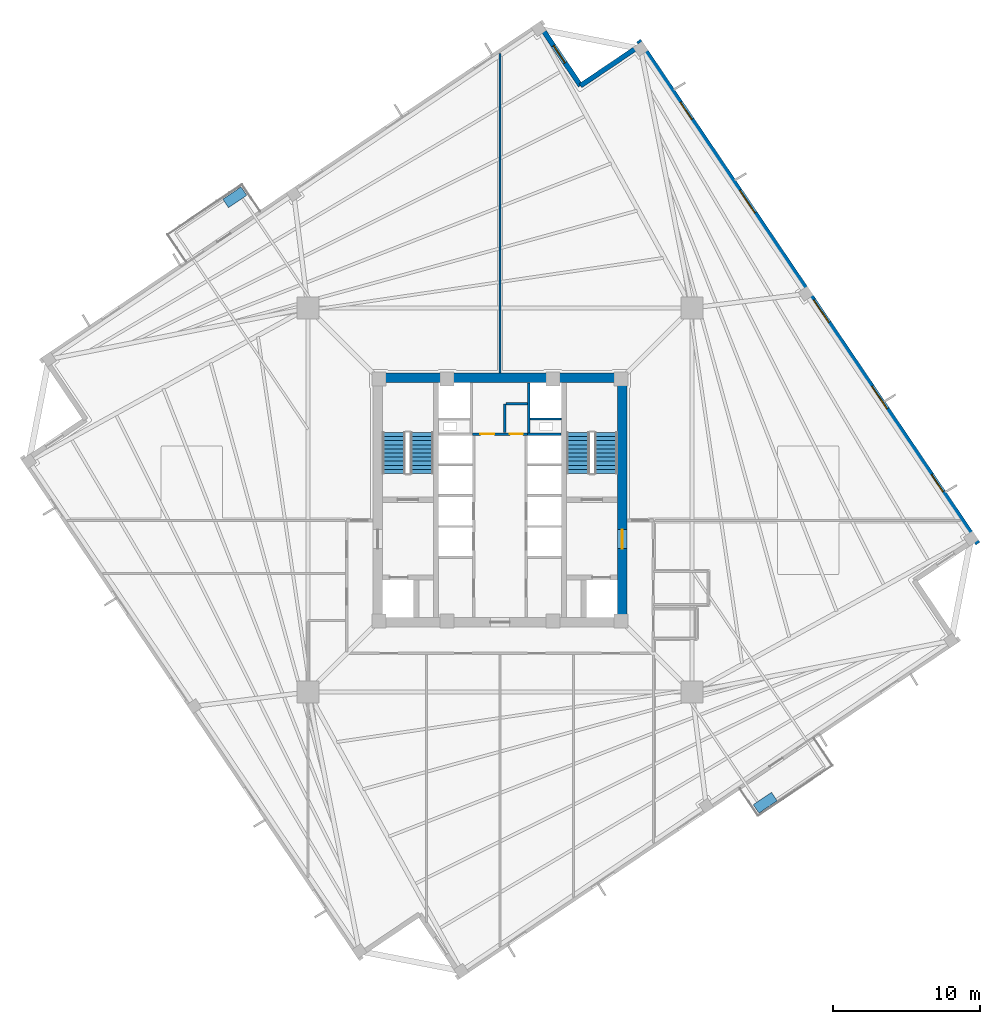
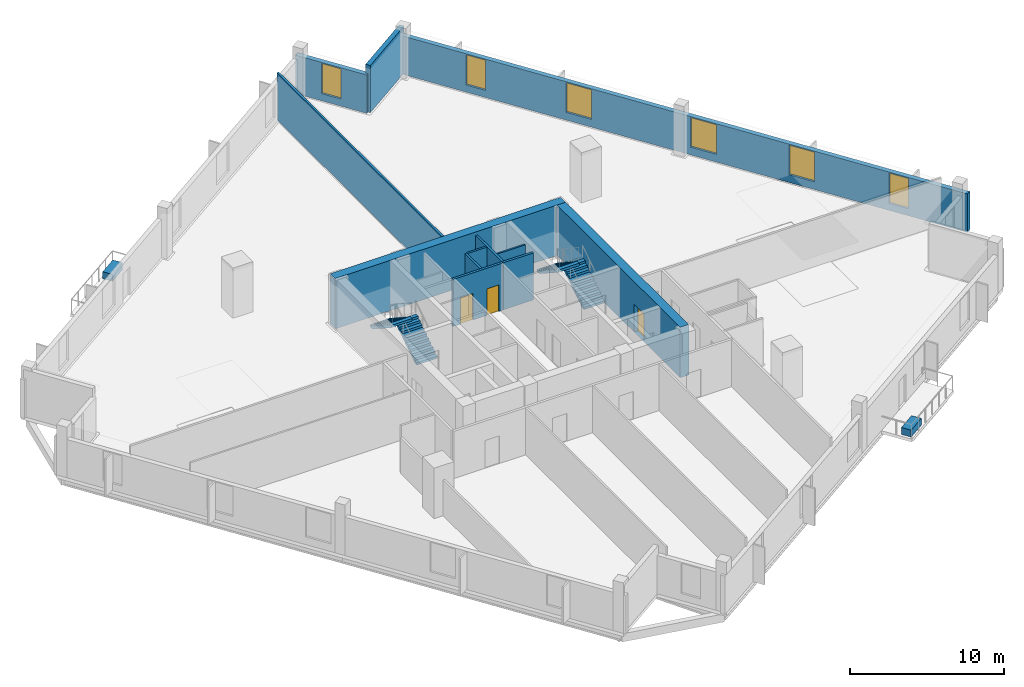
# One storey, part 5 of 8: 12 walls, 6 windows, 4 stair flights, 3 doors, 2 discrete accessories, 9 openings, 2 elements without a shape of their own.
"""IFC4 building model written with IfcOpenShell, lengths in metres."""

import ifcopenshell
import ifcopenshell.guid

model = None  # the IFC model being written
_history = None  # IfcOwnerHistory: only IFC2X3 demands one
_inside = {}  # id of a spatial element -> (the spatial element, [elements in it])
_under = {}  # id of a project, library or spatial element -> (it, [spatial elements below it])
_declared = {}  # id of a project -> (the project, [libraries it declares])
_typed = {}  # id of a type object -> (the type object, [elements of that type])
_made_of = {}  # id of a material, layer set ... -> (it, [elements and type objects made of it])


def new_model(schema):
    """Start an empty IFC model of exactly this schema.

    Asked for "IFC4X3", IfcOpenShell would pick the latest addendum, in which some entities
    have other attributes; the version numbers below select the first issue.
    IFC2X3 requires an IfcOwnerHistory on every rooted entity: one is made here for all.
    """
    global model, _history
    if schema == "IFC4X3":
        model = ifcopenshell.file(schema_version=(4, 3, 0, 0))
    else:
        model = ifcopenshell.file(schema=schema)
    _inside.clear()
    _under.clear()
    _declared.clear()
    _typed.clear()
    _made_of.clear()
    _history = None
    if model.schema == "IFC2X3":
        org = make("IfcOrganization", Name="unknown")
        user = make(
            "IfcPersonAndOrganization",
            ThePerson=make("IfcPerson", FamilyName="unknown"),
            TheOrganization=org,
        )
        app = make(
            "IfcApplication",
            ApplicationDeveloper=org,
            Version="unknown",
            ApplicationFullName="unknown",
            ApplicationIdentifier="unknown",
        )
        _history = make(
            "IfcOwnerHistory",
            OwningUser=user,
            OwningApplication=app,
            ChangeAction="ADDED",
            CreationDate=0,
        )
    return model


def make(cls, **values):
    """One entity of the class cls with the attributes given. An attribute that is None is left unset."""
    return model.create_entity(
        cls, **{name: value for name, value in values.items() if value is not None}
    )


def rooted(cls, **values):
    """An entity with a GlobalId (a new one), such as an element, a storey or a relation."""
    return make(cls, GlobalId=ifcopenshell.guid.new(), OwnerHistory=_history, **values)


def si_unit(unit_type, name, prefix=None):
    """IfcSIUnit, for example si_unit("LENGTHUNIT", "METRE", prefix="MILLI")."""
    return make("IfcSIUnit", UnitType=unit_type, Prefix=prefix, Name=name)


def assignment(units):
    """IfcUnitAssignment: the units of a project."""
    return None if units is None else make("IfcUnitAssignment", Units=units)


def point(xyz):
    """IfcCartesianPoint."""
    return None if xyz is None else make("IfcCartesianPoint", Coordinates=xyz)


def direction(xyz):
    """IfcDirection."""
    return None if xyz is None else make("IfcDirection", DirectionRatios=xyz)


def frame(location, z_axis=None, x_axis=None):
    """IfcAxis2Placement3D, a coordinate frame: its origin and axes. An axis left out is left unset."""
    return make(
        "IfcAxis2Placement3D",
        Location=point(location),
        Axis=direction(z_axis),
        RefDirection=direction(x_axis),
    )


def frame_2d(location, x_axis=None):
    """IfcAxis2Placement2D, a coordinate frame in the plane: its origin and x axis."""
    return make(
        "IfcAxis2Placement2D", Location=point(location), RefDirection=direction(x_axis)
    )


def origin():
    """The frame at (0, 0, 0) with its axes left unset."""
    return frame((0.0, 0.0, 0.0))


def origin_2d():
    """The frame at (0, 0) in the plane with its x axis left unset."""
    return frame_2d((0.0, 0.0))


def place(relative_to, where):
    """IfcLocalPlacement: puts the frame where relative to a parent placement (None: the world)."""
    return make(
        "IfcLocalPlacement", PlacementRelTo=relative_to, RelativePlacement=where
    )


def context(
    kind, dimensions, precision=None, world=None, true_north=None, identifier=None
):
    """IfcGeometricRepresentationContext, for example the 3D "Model" context."""
    return make(
        "IfcGeometricRepresentationContext",
        ContextIdentifier=identifier,
        ContextType=kind,
        CoordinateSpaceDimension=dimensions,
        Precision=precision,
        WorldCoordinateSystem=world,
        TrueNorth=true_north,
    )


def subcontext(parent, identifier, kind, view, scale=None):
    """IfcGeometricRepresentationSubContext, for example "Body" below "Model"."""
    return make(
        "IfcGeometricRepresentationSubContext",
        ContextIdentifier=identifier,
        ContextType=kind,
        ParentContext=parent,
        TargetScale=scale,
        TargetView=view,
    )


def project(units=None, contexts=None):
    """IfcProject with its units and contexts."""
    return rooted(
        "IfcProject",
        Name="project",
        RepresentationContexts=contexts,
        UnitsInContext=assignment(units),
    )


def spatial(cls, under=None, at=None, **own):
    """A site, building, storey or space (cls), placed at a placement, below another one or the project."""
    s = rooted(cls, ObjectPlacement=at, **own)
    if under is not None:
        _under.setdefault(under.id(), (under, []))[1].append(s)
    return s


def polyline(points):
    """IfcPolyline through the points."""
    return make("IfcPolyline", Points=[point(p) for p in points])


def profile(cls, at=None, kind="AREA", **sizes):
    """A parametric profile (cls). Its sizes go by their IFC names, for example OverallWidth=200.0."""
    return make(cls, ProfileType=kind, Position=at, **sizes)


def rectangle(**sizes):
    """IfcRectangleProfileDef."""
    return profile("IfcRectangleProfileDef", **sizes)


def outline(outer, holes=None, kind="AREA"):
    """IfcArbitraryClosedProfileDef: a profile drawn as a closed curve; with holes, ...WithVoids."""
    if holes is None:
        return make("IfcArbitraryClosedProfileDef", ProfileType=kind, OuterCurve=outer)
    return make(
        "IfcArbitraryProfileDefWithVoids",
        ProfileType=kind,
        OuterCurve=outer,
        InnerCurves=holes,
    )


def extrude(swept, where, along, depth):
    """IfcExtrudedAreaSolid: the profile swept, set in the frame where, extruded along a direction by depth."""
    return make(
        "IfcExtrudedAreaSolid",
        SweptArea=swept,
        Position=where,
        ExtrudedDirection=direction(along),
        Depth=depth,
    )


def shape(context_of_items, identifier, shape_type, items):
    """IfcShapeRepresentation: the items that make up one representation, for example the "Body"."""
    return make(
        "IfcShapeRepresentation",
        ContextOfItems=context_of_items,
        RepresentationIdentifier=identifier,
        RepresentationType=shape_type,
        Items=items,
    )


def source(mapping_origin, context_of_items, identifier, shape_type, items):
    """IfcRepresentationMap: a shape defined once, which mapped items show again and again."""
    return make(
        "IfcRepresentationMap",
        MappingOrigin=mapping_origin,
        MappedRepresentation=shape(context_of_items, identifier, shape_type, items),
    )


def transform(
    local_origin,
    x_axis=None,
    y_axis=None,
    z_axis=None,
    scale=None,
    scale2=None,
    scale3=None,
    uniform=True,
):
    """IfcCartesianTransformationOperator3D, or its non-uniform kind. x_axis, y_axis, z_axis: its Axis1, 2, 3."""
    if uniform:
        return make(
            "IfcCartesianTransformationOperator3D",
            Axis1=direction(x_axis),
            Axis2=direction(y_axis),
            LocalOrigin=point(local_origin),
            Scale=scale,
            Axis3=direction(z_axis),
        )
    return make(
        "IfcCartesianTransformationOperator3DnonUniform",
        Axis1=direction(x_axis),
        Axis2=direction(y_axis),
        LocalOrigin=point(local_origin),
        Scale=scale,
        Axis3=direction(z_axis),
        Scale2=scale2,
        Scale3=scale3,
    )


def mapped(mapping_source, mapping_target):
    """IfcMappedItem: shows the shape of a source again, moved by a transform."""
    return make(
        "IfcMappedItem", MappingSource=mapping_source, MappingTarget=mapping_target
    )


def material(Name=None, Category=None):
    """IfcMaterial."""
    return make("IfcMaterial", Name=Name, Category=Category)


def layer(
    of_material, thickness, ventilated=None, Name=None, Category=None, Priority=None
):
    """IfcMaterialLayer: one layer of a wall or slab, of a material (None: an air gap)."""
    return make(
        "IfcMaterialLayer",
        Material=of_material,
        LayerThickness=thickness,
        IsVentilated=ventilated,
        Name=Name,
        Category=Category,
        Priority=Priority,
    )


def layer_set(layers, Name=None):
    """IfcMaterialLayerSet."""
    return make("IfcMaterialLayerSet", MaterialLayers=layers, LayerSetName=Name)


def made_of(thing, what):
    """Note that an element or type object is made of a material, layer set ...; save() writes the relation."""
    if what is not None:
        _made_of.setdefault(what.id(), (what, []))[1].append(thing)
    return thing


def type_object(cls, material=None, **own):
    """A type object (cls), such as IfcWallType, which elements share."""
    return made_of(rooted(cls, **own), material)


def element(
    cls,
    number,
    at=None,
    inside=None,
    cuts=None,
    type_object=None,
    material=None,
    context=None,
    identifier="Body",
    shape_type=None,
    held_by="IfcProductDefinitionShape",
    body=None,
    shapes=None,
    **own,
):
    """One element of the class cls, such as IfcWall. Its Tag is "e" and its number.

    at: its placement. inside: the storey or other place that contains it. cuts: it is an
    opening in that element (IfcRelVoidsElement). A single representation is given by context,
    identifier, shape_type and body (its items); several are given by shapes. held_by: the class
    of the entity that holds the representations. save() writes the other relations.
    """
    e = rooted(cls, Tag="e%d" % number, ObjectPlacement=at, **own)
    if body is not None:
        shapes = [shape(context, identifier, shape_type, body)]
    if shapes is not None:
        e.Representation = make(held_by, Representations=shapes)
    if inside is not None:
        _inside.setdefault(inside.id(), (inside, []))[1].append(e)
    if cuts is not None:
        rooted(
            "IfcRelVoidsElement", RelatingBuildingElement=cuts, RelatedOpeningElement=e
        )
    if type_object is not None:
        _typed.setdefault(type_object.id(), (type_object, []))[1].append(e)
    return made_of(e, material)


def fill(opening, filler):
    """IfcRelFillsElement: the door or window that sits in an opening."""
    return rooted(
        "IfcRelFillsElement",
        RelatingOpeningElement=opening,
        RelatedBuildingElement=filler,
    )


def aggregate(whole, parts):
    """IfcRelAggregates: a whole, such as a stair, and the parts it consists of."""
    return rooted("IfcRelAggregates", RelatingObject=whole, RelatedObjects=parts)


def save(model, path):
    """Write the relations noted so far, then the file.

    IfcRelAggregates (storeys below a building ...), IfcRelContainedInSpatialStructure (elements
    in a storey), IfcRelDefinesByType, IfcRelAssociatesMaterial and IfcRelDeclares: one each for
    every whole, place, type object, material and project.
    """
    for whole, parts in _under.values():
        aggregate(whole, parts)
    for where, things in _inside.values():
        rooted(
            "IfcRelContainedInSpatialStructure",
            RelatedElements=things,
            RelatingStructure=where,
        )
    for kind, things in _typed.values():
        rooted("IfcRelDefinesByType", RelatedObjects=things, RelatingType=kind)
    for what, things in _made_of.values():
        rooted("IfcRelAssociatesMaterial", RelatedObjects=things, RelatingMaterial=what)
    for by, libraries in _declared.values():
        rooted("IfcRelDeclares", RelatingContext=by, RelatedDefinitions=libraries)
    model.write(path)


model = new_model("IFC4")

# Units and contexts
model_context = context("Model", 3, precision=1e-05, world=origin(), true_north=direction((0.0, 1.0)))
body_context = subcontext(model_context, "Body", "Model", "MODEL_VIEW")
ifc_project = project(units=[si_unit("LENGTHUNIT", "METRE"), si_unit("AREAUNIT", "SQUARE_METRE"), si_unit("VOLUMEUNIT", "CUBIC_METRE"), si_unit("PLANEANGLEUNIT", "RADIAN"), si_unit("MASSUNIT", "GRAM", prefix="KILO"), si_unit("THERMODYNAMICTEMPERATUREUNIT", "KELVIN")], contexts=[model_context])

# Site, building, storey
site_placement = place(None, origin())
site = spatial("IfcSite", under=ifc_project, at=site_placement, CompositionType="ELEMENT")
building_placement = place(site_placement, origin())
building = spatial("IfcBuilding", under=site, at=building_placement, Name="Kosmvard Interchange Tower", CompositionType="ELEMENT")
storey_placement = place(building_placement, frame((0.0, 0.0, 148.39990234375)))
storey = spatial("IfcBuildingStorey", under=building, at=storey_placement, Name="L35", CompositionType="ELEMENT", Elevation=148.39990234375)

# Walls
ifc_material_1 = material(Name="Acoustic gypsum partition system")
ifc_layer_1 = layer(ifc_material_1, 0.14990234375, Name="Acoustic gypsum partition system")
ifc_layer_set_1 = layer_set([ifc_layer_1], Name="Acoustic gypsum partition system")
wall_type_1 = type_object("IfcWallType", Name="Acoustic Suite & Meeting Partition 150", PredefinedType="PARTITIONING", material=ifc_layer_set_1)
wall_1_placement = place(storey_placement, frame((0.0, 8.655029296875, 0.0), z_axis=(0.0, 0.0, 1.0), x_axis=(0.0, 1.0, 0.0)))
element("IfcWall", 1, at=wall_1_placement, inside=storey, type_object=wall_type_1, Name="L35 Room Partition 01.1", PredefinedType="PARTITIONING", context=body_context, shape_type="SweptSolid", body=[
    extrude(rectangle(XDim=21.771728515625, YDim=0.14990234375, at=frame_2d((10.8857421875, 0.0))), origin(), (0.0, 0.0, 1.0), 3.739990234375),
])
ifc_material_2 = material(Name="Fire-rated gypsum partition system")
ifc_layer_2 = layer(ifc_material_2, 0.159912109375, Name="Fire-rated gypsum partition system")
ifc_layer_set_2 = layer_set([ifc_layer_2], Name="Fire-rated gypsum partition system")
wall_type_2 = type_object("IfcWallType", Name="Core Compartment & Shuttle Lobby Partition 160", PredefinedType="PARTITIONING", material=ifc_layer_set_2)
wall_2_placement = place(storey_placement, frame((1.9599609375, 4.580078125, 0.0), z_axis=(0.0, 0.0, 1.0), x_axis=(0.0, 1.0, 0.0)))
element("IfcWall", 2, at=wall_2_placement, inside=storey, type_object=wall_type_2, Name="L35 North Core East Wall", PredefinedType="PARTITIONING", context=body_context, shape_type="SweptSolid", body=[
    extrude(rectangle(XDim=3.39990234375, YDim=0.159912109375, at=frame_2d((1.699951171875, 0.0))), origin(), (0.0, 0.0, 1.0), 3.739990234375),
])
ifc_material_3 = material(Name="Concrete blockwork masonry", Category="masonry")
ifc_layer_3 = layer(ifc_material_3, 0.159912109375, Name="Concrete blockwork masonry")
ifc_layer_set_3 = layer_set([ifc_layer_3], Name="Concrete blockwork masonry")
wall_type_3 = type_object("IfcWallType", Name="Core Enclosure Split Wall 160", PredefinedType="PARTITIONING", material=ifc_layer_set_3)
wall_3_placement = place(storey_placement, frame((0.320068359375, 4.60009765625, 0.0), z_axis=(0.0, 0.0, 1.0), x_axis=(0.0, 1.0, 0.0)))
element("IfcWall", 3, at=wall_3_placement, inside=storey, type_object=wall_type_3, Name="L35 Core K3 L-Wall 1", PredefinedType="PARTITIONING", context=body_context, shape_type="SweptSolid", body=[
    extrude(rectangle(XDim=1.949951171875, YDim=0.159912109375, at=frame_2d((0.97509765625, 0.0))), origin(), (0.0, 0.0, 1.0), 3.739990234375),
])
wall_4_placement = place(storey_placement, frame((0.39990234375, 6.550048828125, 0.0), z_axis=(0.0, 0.0, 1.0), x_axis=(1.0, 0.0, 0.0)))
element("IfcWall", 4, at=wall_4_placement, inside=storey, type_object=wall_type_3, Name="L35 Core K3 L-Wall 2", PredefinedType="PARTITIONING", context=body_context, shape_type="SweptSolid", body=[
    extrude(rectangle(XDim=1.460205078125, YDim=0.159912109375, at=frame_2d((0.72998046875, 0.0))), origin(), (0.0, 0.0, 1.0), 3.739990234375),
])

# Wall, openings, doors
ifc_layer_4 = layer(ifc_material_2, 0.179931640625, Name="Fire-rated gypsum partition system")
ifc_layer_set_4 = layer_set([ifc_layer_4], Name="Fire-rated gypsum partition system")
wall_type_4 = type_object("IfcWallType", Name="Corridor & Hotel Compartment Partition 180", PredefinedType="PARTITIONING", material=ifc_layer_set_4)
wall_5_placement = place(storey_placement, frame((-1.8798828125, 4.489990234375, 0.0), z_axis=(0.0, 0.0, 1.0), x_axis=(1.0, 0.0, 0.0)))
wall_5 = element("IfcWall", 5, at=wall_5_placement, inside=storey, type_object=wall_type_4, Name="L35 Lift Lobby North Partition", PredefinedType="PARTITIONING", context=body_context, shape_type="SweptSolid", body=[
    extrude(rectangle(XDim=3.759765625, YDim=0.179931640625, at=frame_2d((1.8798828125, 0.0))), origin(), (0.0, 0.0, 1.0), 3.739990234375),
])
opening_1_placement = place(wall_5_placement, frame((0.550048828125, 0.0, 0.0)))
opening_1 = element("IfcOpeningElement", 6, at=opening_1_placement, cuts=wall_5, Name="Opening L35-KD1", PredefinedType="OPENING", context=body_context, shape_type="SweptSolid", body=[
    extrude(rectangle(XDim=0.949951171875, YDim=2.10009765625, at=frame_2d((0.47509765625, 1.050048828125))), frame((0.0, 0.10009765625, 0.0), z_axis=(0.0, -1.0, 0.0), x_axis=(1.0, 0.0, 0.0)), (0.0, 0.0, 1.0), 0.199951171875),
])
opening_2_placement = place(wall_5_placement, frame((2.56005859375, 0.0, 0.0)))
opening_2 = element("IfcOpeningElement", 7, at=opening_2_placement, cuts=wall_5, Name="Opening L35-KD2", PredefinedType="OPENING", context=body_context, shape_type="SweptSolid", body=[
    extrude(rectangle(XDim=0.8798828125, YDim=2.10009765625, at=frame_2d((0.43994140625, 1.050048828125))), frame((0.0, 0.10009765625, 0.0), z_axis=(0.0, -1.0, 0.0), x_axis=(1.0, 0.0, 0.0)), (0.0, 0.0, 1.0), 0.199951171875),
])
ifc_material_4 = material(Name="Painted fire-rated timber leaf", Category="wood")
door_type_1 = type_object("IfcDoorType", Name="Core Service Fire Door 950x2100 EI30", OperationType="NOTDEFINED", PredefinedType="DOOR", material=ifc_material_4)
shared_shape_1 = source(origin(), body_context, "Body", "SweptSolid", [
    extrude(rectangle(XDim=0.949951171875, YDim=2.10009765625, at=frame_2d((0.47509765625, 1.050048828125))), frame((0.0, 0.02490234375, 0.0), z_axis=(0.0, -1.0, 0.0), x_axis=(1.0, 0.0, 0.0)), (0.0, 0.0, 1.0), 0.050048828125),
])
door_1_placement = place(opening_1_placement, origin())
door_1 = element("IfcDoor", 8, at=door_1_placement, inside=storey, type_object=door_type_1, Name="L35 Core Archive Store Door", OperationType="SINGLE_SWING_LEFT", OverallHeight=2.10009765625, OverallWidth=0.949951171875, PredefinedType="DOOR", context=body_context, shape_type="MappedRepresentation", body=[
    mapped(shared_shape_1, transform((0.0, 0.0, 0.0), scale=1.0)),
])
fill(opening_1, door_1)
door_type_2 = type_object("IfcDoorType", Name="Core Cupboard Fire Door 880x2100 EI30", OperationType="NOTDEFINED", PredefinedType="DOOR", material=ifc_material_4)
shared_shape_2 = source(origin(), body_context, "Body", "SweptSolid", [
    extrude(rectangle(XDim=0.8798828125, YDim=2.10009765625, at=frame_2d((0.43994140625, 1.050048828125))), frame((0.0, 0.02490234375, 0.0), z_axis=(0.0, -1.0, 0.0), x_axis=(1.0, 0.0, 0.0)), (0.0, 0.0, 1.0), 0.050048828125),
])
door_2_placement = place(opening_2_placement, origin())
door_2 = element("IfcDoor", 9, at=door_2_placement, inside=storey, type_object=door_type_2, Name="L35 Core Supplies Cupboard Door", OperationType="SINGLE_SWING_RIGHT", OverallHeight=2.10009765625, OverallWidth=0.8798828125, PredefinedType="DOOR", context=body_context, shape_type="MappedRepresentation", body=[
    mapped(shared_shape_2, transform((0.0, 0.0, 0.0), scale=1.0)),
])
fill(opening_2, door_2)

# Wall
ifc_material_5 = material(Name="Concrete C70/85", Category="concrete")
ifc_layer_5 = layer(ifc_material_5, 0.64990234375, Name="Concrete C70/85")
ifc_layer_set_5 = layer_set([ifc_layer_5], Name="Concrete C70/85")
wall_type_5 = type_object("IfcWallType", Name="Mid Core Shear Wall 650 C70/85", PredefinedType="SHEAR", material=ifc_layer_set_5)
wall_6_placement = place(storey_placement, frame((-8.64990234375, 8.324951171875, 0.0), z_axis=(0.0, 0.0, 1.0), x_axis=(1.0, 0.0, 0.0)))
element("IfcWall", 10, at=wall_6_placement, inside=storey, type_object=wall_type_5, Name="L35 Core Shear Wall CW-N", PredefinedType="SHEAR", context=body_context, shape_type="SweptSolid", body=[
    extrude(rectangle(XDim=17.2998046875, YDim=0.64990234375, at=frame_2d((8.64990234375, 0.0))), origin(), (0.0, 0.0, 1.0), 4.0),
])

# Wall, opening, door
wall_7_placement = place(storey_placement, frame((8.324951171875, -8.0, 0.0), z_axis=(0.0, 0.0, 1.0), x_axis=(0.0, 1.0, 0.0)))
wall_7 = element("IfcWall", 11, at=wall_7_placement, inside=storey, type_object=wall_type_5, Name="L35 Core Shear Wall CW-E", PredefinedType="SHEAR", context=body_context, shape_type="SweptSolid", body=[
    extrude(rectangle(XDim=16.0, YDim=0.64990234375, at=frame_2d((8.0, 0.0))), origin(), (0.0, 0.0, 1.0), 4.0),
])
opening_3_placement = place(wall_7_placement, frame((4.68994140625, 0.0, 0.0)))
opening_3 = element("IfcOpeningElement", 12, at=opening_3_placement, cuts=wall_7, Name="Opening L35-FD2", PredefinedType="OPENING", context=body_context, shape_type="SweptSolid", body=[
    extrude(rectangle(XDim=1.300048828125, YDim=2.199951171875, at=frame_2d((0.64990234375, 1.10009765625))), frame((0.0, 0.3349609375, 0.0), z_axis=(0.0, -1.0, 0.0), x_axis=(1.0, 0.0, 0.0)), (0.0, 0.0, 1.0), 0.669921875),
])
ifc_material_6 = material(Name="Painted fire-rated steel leaf", Category="steel")
door_type_3 = type_object("IfcDoorType", Name="Firefighting Lobby Door 1300x2200 EI60", OperationType="NOTDEFINED", PredefinedType="DOOR", material=ifc_material_6)
shared_shape_3 = source(origin(), body_context, "Body", "SweptSolid", [
    extrude(rectangle(XDim=1.300048828125, YDim=2.199951171875, at=frame_2d((0.64990234375, 1.10009765625))), frame((0.0, 0.02490234375, 0.0), z_axis=(0.0, -1.0, 0.0), x_axis=(1.0, 0.0, 0.0)), (0.0, 0.0, 1.0), 0.050048828125),
])
door_3_placement = place(opening_3_placement, origin())
door_3 = element("IfcDoor", 13, at=door_3_placement, inside=storey, type_object=door_type_3, Name="L35 Firefighting Lobby East Door", OperationType="SINGLE_SWING_RIGHT", OverallHeight=2.199951171875, OverallWidth=1.300048828125, PredefinedType="DOOR", context=body_context, shape_type="MappedRepresentation", body=[
    mapped(shared_shape_3, transform((0.0, 0.0, 0.0), scale=1.0)),
])
fill(opening_3, door_3)

# Wall, openings, windows
ifc_material_7 = material(Name="Precast concrete C45/55", Category="concrete")
ifc_layer_6 = layer(ifc_material_7, 0.340087890625, Name="Precast concrete C45/55")
ifc_layer_set_6 = layer_set([ifc_layer_6], Name="Precast concrete C45/55")
wall_type_6 = type_object("IfcWallType", Name="Mid Tower Precast Pier Wall 340 C45/55", PredefinedType="STANDARD", material=ifc_layer_set_6)
wall_8_placement = place(storey_placement, frame((32.55810546875, -2.971923828125, 0.0), z_axis=(0.0, 0.0, 1.0), x_axis=(-0.559194910251, 0.829036218961, 0.0)))
wall_8 = element("IfcWall", 14, at=wall_8_placement, inside=storey, type_object=wall_type_6, Name="L35 Precast Facade Wall F-E", PredefinedType="STANDARD", context=body_context, shape_type="SweptSolid", body=[
    extrude(rectangle(XDim=41.340087890625, YDim=0.340087890625, at=frame_2d((20.669921875, 0.0))), origin(), (0.0, 0.0, 1.0), 3.0400390625),
])
opening_4_placement = place(wall_8_placement, frame((4.2607421875, 0.0, 0.56005859375)))
opening_4 = element("IfcOpeningElement", 15, at=opening_4_placement, cuts=wall_8, Name="Opening L35-W06", PredefinedType="OPENING", context=body_context, shape_type="SweptSolid", body=[
    extrude(rectangle(XDim=1.39990234375, YDim=2.39990234375, at=frame_2d((0.699951171875, 1.199951171875))), frame((0.0, 0.18017578125, 0.0), z_axis=(0.0, -1.0, 0.0), x_axis=(1.0, 0.0, 0.0)), (0.0, 0.0, 1.0), 0.360107421875),
])
opening_5_placement = place(wall_8_placement, frame((11.063720703125, 0.0, 0.610107421875)))
opening_5 = element("IfcOpeningElement", 16, at=opening_5_placement, cuts=wall_8, Name="Opening L35-W07", PredefinedType="OPENING", context=body_context, shape_type="SweptSolid", body=[
    extrude(rectangle(XDim=1.85009765625, YDim=2.35009765625, at=frame_2d((0.925048828125, 1.175048828125))), frame((0.0, 0.18017578125, 0.0), z_axis=(0.0, -1.0, 0.0), x_axis=(1.0, 0.0, 0.0)), (0.0, 0.0, 1.0), 0.360107421875),
])
opening_6_placement = place(wall_8_placement, frame((18.168212890625, 0.0, 0.610107421875)))
opening_6 = element("IfcOpeningElement", 17, at=opening_6_placement, cuts=wall_8, Name="Opening L35-W08", PredefinedType="OPENING", context=body_context, shape_type="SweptSolid", body=[
    extrude(rectangle(XDim=1.85009765625, YDim=2.35009765625, at=frame_2d((0.925048828125, 1.175048828125))), frame((0.0, 0.18017578125, 0.0), z_axis=(0.0, -1.0, 0.0), x_axis=(1.0, 0.0, 0.0)), (0.0, 0.0, 1.0), 0.360107421875),
])
opening_7_placement = place(wall_8_placement, frame((27.186279296875, 0.0, 0.610107421875)))
opening_7 = element("IfcOpeningElement", 18, at=opening_7_placement, cuts=wall_8, Name="Opening L35-W09", PredefinedType="OPENING", context=body_context, shape_type="SweptSolid", body=[
    extrude(rectangle(XDim=1.85009765625, YDim=2.35009765625, at=frame_2d((0.925048828125, 1.175048828125))), frame((0.0, 0.18017578125, 0.0), z_axis=(0.0, -1.0, 0.0), x_axis=(1.0, 0.0, 0.0)), (0.0, 0.0, 1.0), 0.360107421875),
])
opening_8_placement = place(wall_8_placement, frame((34.852294921875, 0.0, 0.56005859375)))
opening_8 = element("IfcOpeningElement", 19, at=opening_8_placement, cuts=wall_8, Name="Opening L35-W10", PredefinedType="OPENING", context=body_context, shape_type="SweptSolid", body=[
    extrude(rectangle(XDim=1.39990234375, YDim=2.39990234375, at=frame_2d((0.699951171875, 1.199951171875))), frame((0.0, 0.18017578125, 0.0), z_axis=(0.0, -1.0, 0.0), x_axis=(1.0, 0.0, 0.0)), (0.0, 0.0, 1.0), 0.360107421875),
])
ifc_material_8 = material(Name="Low-E solar-control double glazing", Category="glass")
window_type_1 = type_object("IfcWindowType", Name="Notched Corner Feature Window 1400x2400", PartitioningType="SINGLE_PANEL", PredefinedType="WINDOW", material=ifc_material_8)
shared_shape_4 = source(origin(), body_context, "Body", "SweptSolid", [
    extrude(rectangle(XDim=1.39990234375, YDim=2.39990234375, at=frame_2d((0.699951171875, 1.199951171875))), frame((0.0, 0.030029296875, 0.0), z_axis=(0.0, -1.0, 0.0), x_axis=(1.0, 0.0, 0.0)), (0.0, 0.0, 1.0), 0.06005859375),
])
window_1_placement = place(opening_4_placement, origin())
window_1 = element("IfcWindow", 20, at=window_1_placement, inside=storey, type_object=window_type_1, Name="L35 Facade Punched Window 06", OverallHeight=2.39990234375, OverallWidth=1.39990234375, PartitioningType="SINGLE_PANEL", PredefinedType="WINDOW", context=body_context, shape_type="MappedRepresentation", body=[
    mapped(shared_shape_4, transform((0.0, 0.0, 0.0), scale=1.0)),
])
fill(opening_4, window_1)
window_2_placement = place(opening_8_placement, origin())
window_2 = element("IfcWindow", 21, at=window_2_placement, inside=storey, type_object=window_type_1, Name="L35 Facade Punched Window 10", OverallHeight=2.39990234375, OverallWidth=1.39990234375, PartitioningType="SINGLE_PANEL", PredefinedType="WINDOW", context=body_context, shape_type="MappedRepresentation", body=[
    mapped(shared_shape_4, transform((0.0, 0.0, 0.0), scale=1.0)),
])
fill(opening_8, window_2)
window_type_2 = type_object("IfcWindowType", Name="Zone 3 Office Punched Window 1850x2350", PartitioningType="SINGLE_PANEL", PredefinedType="WINDOW", material=ifc_material_8)
shared_shape_5 = source(origin(), body_context, "Body", "SweptSolid", [
    extrude(rectangle(XDim=1.85009765625, YDim=2.35009765625, at=frame_2d((0.925048828125, 1.175048828125))), frame((0.0, 0.030029296875, 0.0), z_axis=(0.0, -1.0, 0.0), x_axis=(1.0, 0.0, 0.0)), (0.0, 0.0, 1.0), 0.06005859375),
])
window_3_placement = place(opening_5_placement, origin())
window_3 = element("IfcWindow", 22, at=window_3_placement, inside=storey, type_object=window_type_2, Name="L35 Facade Punched Window 07", OverallHeight=2.35009765625, OverallWidth=1.85009765625, PartitioningType="SINGLE_PANEL", PredefinedType="WINDOW", context=body_context, shape_type="MappedRepresentation", body=[
    mapped(shared_shape_5, transform((0.0, 0.0, 0.0), scale=1.0)),
])
fill(opening_5, window_3)
window_4_placement = place(opening_6_placement, origin())
window_4 = element("IfcWindow", 23, at=window_4_placement, inside=storey, type_object=window_type_2, Name="L35 Facade Punched Window 08", OverallHeight=2.35009765625, OverallWidth=1.85009765625, PartitioningType="SINGLE_PANEL", PredefinedType="WINDOW", context=body_context, shape_type="MappedRepresentation", body=[
    mapped(shared_shape_5, transform((0.0, 0.0, 0.0), scale=1.0)),
])
fill(opening_6, window_4)
window_5_placement = place(opening_7_placement, origin())
window_5 = element("IfcWindow", 24, at=window_5_placement, inside=storey, type_object=window_type_2, Name="L35 Facade Punched Window 09", OverallHeight=2.35009765625, OverallWidth=1.85009765625, PartitioningType="SINGLE_PANEL", PredefinedType="WINDOW", context=body_context, shape_type="MappedRepresentation", body=[
    mapped(shared_shape_5, transform((0.0, 0.0, 0.0), scale=1.0)),
])
fill(opening_7, window_5)

# Wall
wall_9_placement = place(storey_placement, frame((9.631103515625, 31.018798828125, 0.0), z_axis=(0.0, 0.0, 1.0), x_axis=(-0.829025804298, -0.559210350234, 0.0)))
element("IfcWall", 25, at=wall_9_placement, inside=storey, type_object=wall_type_6, Name="L35 Precast Facade Wall N-NE1", PredefinedType="STANDARD", context=body_context, shape_type="SweptSolid", body=[
    extrude(rectangle(XDim=5.000244140625, YDim=0.340087890625, at=frame_2d((2.5, 0.0))), origin(), (0.0, 0.0, 1.0), 3.739990234375),
])

# Wall, opening, window
wall_10_placement = place(storey_placement, frame((5.48583984375, 28.22265625, 0.0), z_axis=(0.0, 0.0, 1.0), x_axis=(-0.559171107879, 0.82905227345, 0.0)))
wall_10 = element("IfcWall", 26, at=wall_10_placement, inside=storey, type_object=wall_type_6, Name="L35 Precast Facade Wall N-NE2", PredefinedType="STANDARD", context=body_context, shape_type="SweptSolid", body=[
    extrude(rectangle(XDim=5.169921875, YDim=0.340087890625, at=frame_2d((2.5849609375, 0.0))), origin(), (0.0, 0.0, 1.0), 3.0400390625),
])
opening_9_placement = place(wall_10_placement, frame((1.885009765625, 0.0, 0.56005859375)))
opening_9 = element("IfcOpeningElement", 27, at=opening_9_placement, cuts=wall_10, Name="Opening L35-W22", PredefinedType="OPENING", context=body_context, shape_type="SweptSolid", body=[
    extrude(rectangle(XDim=1.39990234375, YDim=2.39990234375, at=frame_2d((0.699951171875, 1.199951171875))), frame((0.0, 0.18017578125, 0.0), z_axis=(0.0, -1.0, 0.0), x_axis=(1.0, 0.0, 0.0)), (0.0, 0.0, 1.0), 0.360107421875),
])
window_6_placement = place(opening_9_placement, origin())
window_6 = element("IfcWindow", 28, at=window_6_placement, inside=storey, type_object=window_type_1, Name="L35 Corner Notch Window 22", OverallHeight=2.39990234375, OverallWidth=1.39990234375, PartitioningType="SINGLE_PANEL", PredefinedType="WINDOW", context=body_context, shape_type="MappedRepresentation", body=[
    mapped(shared_shape_4, transform((0.0, 0.0, 0.0), scale=1.0)),
])
fill(opening_9, window_6)

# Walls
ifc_layer_7 = layer(ifc_material_3, 0.179931640625, Name="Concrete blockwork masonry")
ifc_layer_set_7 = layer_set([ifc_layer_7], Name="Concrete blockwork masonry")
wall_type_7 = type_object("IfcWallType", Name="Riser & Lift Bank Divider Wall 180", PredefinedType="PARTITIONING", material=ifc_layer_set_7)
wall_11_placement = place(storey_placement, frame((1.889892578125, 4.489990234375, 0.0), z_axis=(0.0, 0.0, 1.0), x_axis=(1.0, 0.0, 0.0)))
element("IfcWall", 29, at=wall_11_placement, inside=storey, type_object=wall_type_7, Name="L35 East Bank Divider BD3", PredefinedType="PARTITIONING", context=body_context, shape_type="SweptSolid", body=[
    extrude(rectangle(XDim=2.280029296875, YDim=0.179931640625, at=frame_2d((1.14013671875, 0.0))), origin(), (0.0, 0.0, 1.0), 3.739990234375),
])
ifc_material_9 = material(Name="Fire-rated gypsum shaftwall system")
ifc_layer_8 = layer(ifc_material_9, 0.1201171875, Name="Fire-rated gypsum shaftwall system")
ifc_layer_set_8 = layer_set([ifc_layer_8], Name="Fire-rated gypsum shaftwall system")
wall_type_8 = type_object("IfcWallType", Name="Shaft & Riser Fire Partition 120 EI60", PredefinedType="PARTITIONING", material=ifc_layer_set_8)
wall_12_placement = place(storey_placement, frame((2.06005859375, 5.52001953125, 0.0), z_axis=(0.0, 0.0, 1.0), x_axis=(1.0, 0.0, 0.0)))
element("IfcWall", 30, at=wall_12_placement, inside=storey, type_object=wall_type_8, Name="L35 Riser Shaft Divider E", PredefinedType="PARTITIONING", context=body_context, shape_type="SweptSolid", body=[
    extrude(rectangle(XDim=2.099853515625, YDim=0.1201171875, at=frame_2d((1.0498046875, 0.0))), origin(), (0.0, 0.0, 1.0), 3.739990234375),
])

# Stair, stair flights
ifc_material_10 = material(Name="Concrete C50/60", Category="concrete")
stair_type = type_object("IfcStairType", Name="Dog-Leg Core Exit Stair H4000 C50/60", PredefinedType="HALF_TURN_STAIR", material=ifc_material_10)
stair_1_placement = place(storey_placement, origin())
stair_1 = element("IfcStair", 31, at=stair_1_placement, inside=storey, type_object=stair_type, Name="L35 Protected Exit Stair ST-1", PredefinedType="HALF_TURN_STAIR")
stair_flight_type = type_object("IfcStairFlightType", Name="Core Stair Flight W1550 H4000 C50/60", PredefinedType="STRAIGHT", material=ifc_material_10)
shared_shape_6 = source(origin(), body_context, "Body", "SweptSolid", [
    extrude(outline(polyline([(0.0, 0.0), (0.0, 0.181884765625), (0.280029296875, 0.181884765625), (0.280029296875, 0.363525390625), (0.56005859375, 0.363525390625), (0.56005859375, 0.54541015625), (0.840087890625, 0.54541015625), (0.840087890625, 0.727294921875), (1.1201171875, 0.727294921875), (1.1201171875, 0.9091796875), (1.39990234375, 0.9091796875), (1.39990234375, 1.0908203125), (1.679931640625, 1.0908203125), (1.679931640625, 1.272705078125), (1.9599609375, 1.272705078125), (1.9599609375, 1.45458984375), (2.239990234375, 1.45458984375), (2.239990234375, 1.636474609375), (2.52001953125, 1.636474609375), (2.52001953125, 1.818115234375), (2.800048828125, 1.818115234375), (2.800048828125, 2.0), (2.800048828125, 1.62744140625), (0.293701171875, 0.0), (0.0, 0.0)])), frame((0.0, 0.77490234375, 0.0), z_axis=(0.0, -1.0, 0.0), x_axis=(1.0, 0.0, 0.0)), (0.0, 0.0, 1.0), 1.550048828125),
])
stair_flight_1_placement = place(storey_placement, frame((-5.31494140625, 1.800048828125, 0.0), z_axis=(0.0, 0.0, 1.0), x_axis=(0.0, 1.0, 0.0)))
stair_flight_1 = element("IfcStairFlight", 32, at=stair_flight_1_placement, type_object=stair_flight_type, Name="ST-1 flight 1", NumberOfRisers=11, NumberOfTreads=10, PredefinedType="STRAIGHT", RiserHeight=0.181818182, TreadLength=0.28, context=body_context, shape_type="MappedRepresentation", body=[
    mapped(shared_shape_6, transform((0.0, 0.0, 0.0), scale=1.0)),
])
stair_flight_2_placement = place(storey_placement, frame((-7.22509765625, 4.60009765625, 2.0), z_axis=(0.0, 0.0, 1.0), x_axis=(0.0, -1.0, 0.0)))
stair_flight_2 = element("IfcStairFlight", 33, at=stair_flight_2_placement, type_object=stair_flight_type, Name="ST-1 flight 2", NumberOfRisers=11, NumberOfTreads=10, PredefinedType="STRAIGHT", RiserHeight=0.181818182, TreadLength=0.28, context=body_context, shape_type="MappedRepresentation", body=[
    mapped(shared_shape_6, transform((0.0, 0.0, 0.0), scale=1.0)),
])
aggregate(stair_1, [stair_flight_1, stair_flight_2])

stair_2_placement = place(storey_placement, origin())
stair_2 = element("IfcStair", 34, at=stair_2_placement, inside=storey, type_object=stair_type, Name="L35 Protected Exit Stair ST-2", PredefinedType="HALF_TURN_STAIR")
stair_flight_3_placement = place(storey_placement, frame((7.22509765625, 1.800048828125, 0.0), z_axis=(0.0, 0.0, 1.0), x_axis=(0.0, 1.0, 0.0)))
stair_flight_3 = element("IfcStairFlight", 35, at=stair_flight_3_placement, type_object=stair_flight_type, Name="ST-2 flight 1", NumberOfRisers=11, NumberOfTreads=10, PredefinedType="STRAIGHT", RiserHeight=0.181818182, TreadLength=0.28, context=body_context, shape_type="MappedRepresentation", body=[
    mapped(shared_shape_6, transform((0.0, 0.0, 0.0), scale=1.0)),
])
stair_flight_4_placement = place(storey_placement, frame((5.31494140625, 4.60009765625, 2.0), z_axis=(0.0, 0.0, 1.0), x_axis=(0.0, -1.0, 0.0)))
stair_flight_4 = element("IfcStairFlight", 36, at=stair_flight_4_placement, type_object=stair_flight_type, Name="ST-2 flight 2", NumberOfRisers=11, NumberOfTreads=10, PredefinedType="STRAIGHT", RiserHeight=0.181818182, TreadLength=0.28, context=body_context, shape_type="MappedRepresentation", body=[
    mapped(shared_shape_6, transform((0.0, 0.0, 0.0), scale=1.0)),
])
aggregate(stair_2, [stair_flight_3, stair_flight_4])

# Discrete accessories
ifc_material_11 = material(Name="Terracotta precast planter concrete C45/55", Category="masonry")
discrete_accessory_type = type_object("IfcDiscreteAccessoryType", Name="Precast Tree-Balcony & Terrace Planter Box", PredefinedType="USERDEFINED", material=ifc_material_11)
shared_shape_7 = source(origin(), body_context, "Body", "SweptSolid", [
    extrude(rectangle(XDim=1.5, YDim=0.699951171875, at=origin_2d()), origin(), (0.0, 0.0, 1.0), 0.550048828125),
])
for number, where, z_axis, x_axis, name in (
    (37, (18.0703125, -20.62060546875, 0.0), (0.0, 0.0, 1.0), (0.829037572555, 0.559192903471, 0.0), "L35 Balcony Tree Planter BAL-L35-SW"),
    (38, (-18.0703125, 20.62060546875, 0.0), (0.0, 0.0, 1.0), (0.829037572555, 0.559192903471, 0.0), "L35 Balcony Tree Planter BAL-L35-NE"),
):
    element("IfcDiscreteAccessory", number, at=place(storey_placement, frame(where, z_axis=z_axis, x_axis=x_axis)), inside=storey, type_object=discrete_accessory_type, Name=name, ObjectType="PLANTER", PredefinedType="USERDEFINED", context=body_context, shape_type="MappedRepresentation", body=[
        mapped(shared_shape_7, transform((0.0, 0.0, 0.0), scale=1.0)),
    ])

save(model, "model.ifc")
